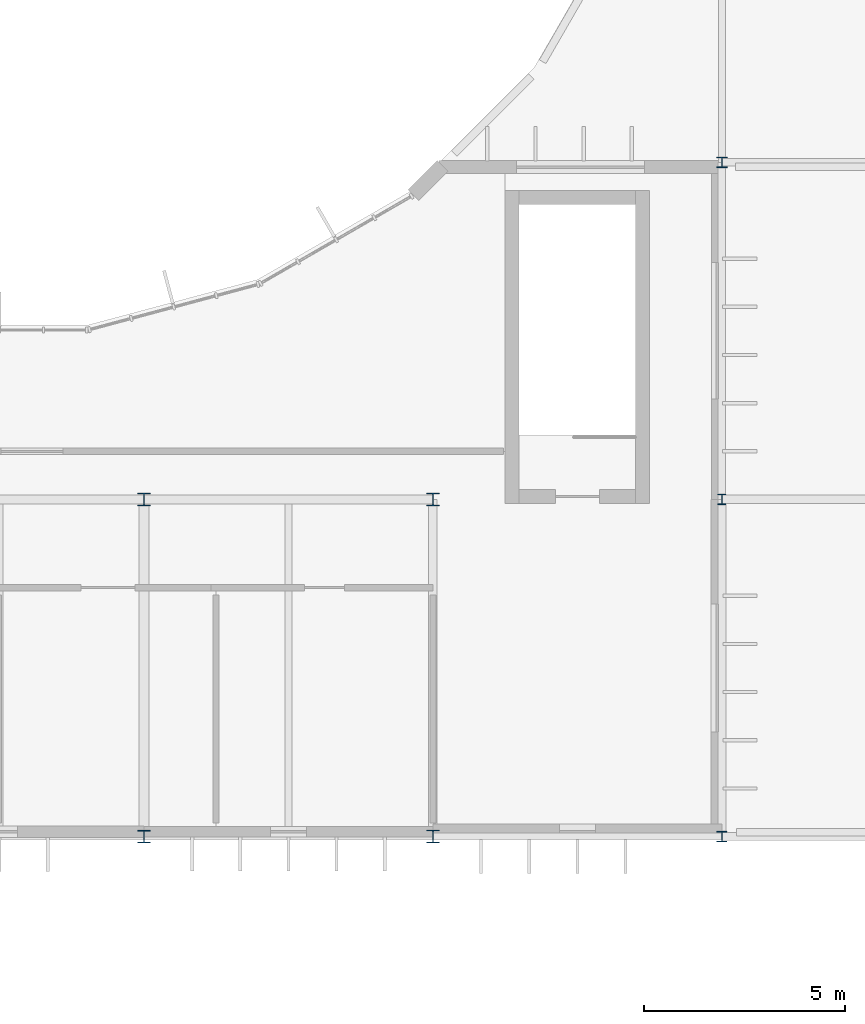
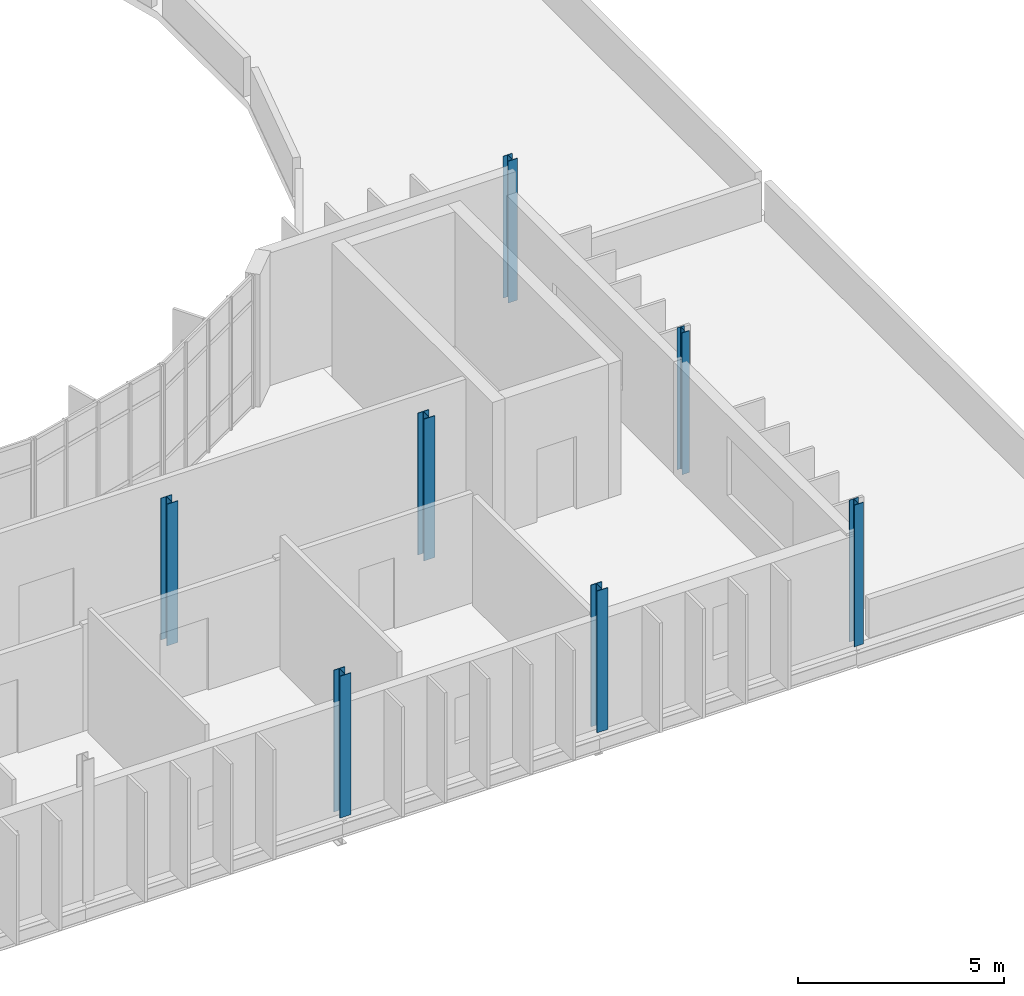
# One storey, part 15 of 61: 7 columns.
"""IFC4 building model written with IfcOpenShell, lengths in metres."""

from ifc_helpers import new_model, si_unit, direction, frame, origin, origin_2d, place, context, subcontext, project, spatial, i_section, extrude, material, material_profile, profile_set, type_object, element, save


model = new_model("IFC4")

# Units and contexts
model_context = context("Model", 3, precision=1e-05, world=origin(), true_north=direction((0.0, 1.0)))
body_context = subcontext(model_context, "Body", "Model", "MODEL_VIEW")
ifc_project = project(units=[si_unit("LENGTHUNIT", "METRE"), si_unit("AREAUNIT", "SQUARE_METRE"), si_unit("VOLUMEUNIT", "CUBIC_METRE"), si_unit("PLANEANGLEUNIT", "RADIAN"), si_unit("MASSUNIT", "GRAM", prefix="KILO")], contexts=[model_context])

# Site, building, storey
site_placement = place(None, origin())
site = spatial("IfcSite", under=ifc_project, at=site_placement, CompositionType="ELEMENT")
building_placement = place(site_placement, origin())
building = spatial("IfcBuilding", under=site, at=building_placement, Name="Qelthora Terrace Specialist Clinic", CompositionType="ELEMENT")
storey_placement = place(building_placement, frame((0.0, 0.0, 13.199951171875)))
storey = spatial("IfcBuildingStorey", under=building, at=storey_placement, Name="L03", CompositionType="ELEMENT", Elevation=13.199951171875)

# Columns
ifc_material = material(Name="Steel S355", Category="steel")
ifc_material_profile_1 = material_profile(ifc_material, i_section(OverallWidth=0.2041015625, OverallDepth=0.257080078125, WebThickness=0.0087890625, FlangeThickness=0.015625, FilletRadius=0.012939453125, at=origin_2d()), Name="W250X67")
ifc_profile_set_1 = profile_set([ifc_material_profile_1], Name="Steel S355")
column_type_1 = type_object("IfcColumnType", Name="COL-W250X67", PredefinedType="COLUMN", material=ifc_profile_set_1)
column_1_placement = place(storey_placement, frame((144.0, 42.0, 0.0), z_axis=(0.0, 0.0, 1.0), x_axis=(1.0, 0.0, 0.0)))
element("IfcColumn", 1, at=column_1_placement, inside=storey, type_object=column_type_1, Name="Column L03-227", PredefinedType="COLUMN", context=body_context, shape_type="SweptSolid", body=[
    extrude(i_section(OverallWidth=0.2041015625, OverallDepth=0.257080078125, WebThickness=0.0087890625, FlangeThickness=0.015625, FilletRadius=0.012939453125, at=origin_2d()), origin(), (0.0, 0.0, 1.0), 4.199951171875),
])
ifc_material_profile_2 = material_profile(ifc_material, i_section(OverallWidth=0.25390625, OverallDepth=0.2529296875, WebThickness=0.008544921875, FlangeThickness=0.01416015625, FilletRadius=0.012939453125, at=origin_2d()), Name="W250X73")
ifc_profile_set_2 = profile_set([ifc_material_profile_2], Name="Steel S355")
column_type_2 = type_object("IfcColumnType", Name="COL-W250X73", PredefinedType="COLUMN", material=ifc_profile_set_2)
column_2_placement = place(storey_placement, frame((144.0, 33.60009765625, 0.0), z_axis=(0.0, 0.0, 1.0), x_axis=(1.0, 0.0, 0.0)))
element("IfcColumn", 2, at=column_2_placement, inside=storey, type_object=column_type_2, Name="Column L03-226", PredefinedType="COLUMN", context=body_context, shape_type="SweptSolid", body=[
    extrude(i_section(OverallWidth=0.25390625, OverallDepth=0.2529296875, WebThickness=0.008544921875, FlangeThickness=0.01416015625, FilletRadius=0.012939453125, at=origin_2d()), origin(), (0.0, 0.0, 1.0), 4.199951171875),
])
ifc_material_profile_3 = material_profile(ifc_material, i_section(OverallWidth=0.256103515625, OverallDepth=0.260009765625, WebThickness=0.0107421875, FlangeThickness=0.017333984375, FilletRadius=0.012939453125, at=origin_2d()), Name="W250X89")
ifc_profile_set_3 = profile_set([ifc_material_profile_3], Name="Steel S355")
column_type_3 = type_object("IfcColumnType", Name="COL-W250X89", PredefinedType="COLUMN", material=ifc_profile_set_3)
column_3_placement = place(storey_placement, frame((144.0, 50.39990234375, 0.0), z_axis=(0.0, 0.0, 1.0), x_axis=(1.0, 0.0, 0.0)))
element("IfcColumn", 3, at=column_3_placement, inside=storey, type_object=column_type_3, Name="Column L03-228", PredefinedType="COLUMN", context=body_context, shape_type="SweptSolid", body=[
    extrude(i_section(OverallWidth=0.256103515625, OverallDepth=0.260009765625, WebThickness=0.0107421875, FlangeThickness=0.017333984375, FilletRadius=0.012939453125, at=origin_2d()), origin(), (0.0, 0.0, 1.0), 4.199951171875),
])
ifc_material_profile_4 = material_profile(ifc_material, i_section(OverallWidth=0.305908203125, OverallDepth=0.31103515625, WebThickness=0.010986328125, FlangeThickness=0.01708984375, FilletRadius=0.014892578125, at=origin_2d()), Name="W310X107")
ifc_profile_set_4 = profile_set([ifc_material_profile_4], Name="Steel S355")
column_type_4 = type_object("IfcColumnType", Name="COL-W310X107", PredefinedType="COLUMN", material=ifc_profile_set_4)
column_4_placement = place(storey_placement, frame((129.60009765625, 42.0, 0.0), z_axis=(0.0, 0.0, 1.0), x_axis=(1.0, 0.0, 0.0)))
element("IfcColumn", 4, at=column_4_placement, inside=storey, type_object=column_type_4, Name="Column L03-211", PredefinedType="COLUMN", context=body_context, shape_type="SweptSolid", body=[
    extrude(i_section(OverallWidth=0.305908203125, OverallDepth=0.31103515625, WebThickness=0.010986328125, FlangeThickness=0.01708984375, FilletRadius=0.014892578125, at=origin_2d()), origin(), (0.0, 0.0, 1.0), 4.199951171875),
])
ifc_material_profile_5 = material_profile(ifc_material, i_section(OverallWidth=0.306884765625, OverallDepth=0.31396484375, WebThickness=0.011962890625, FlangeThickness=0.018798828125, FilletRadius=0.01611328125, at=origin_2d()), Name="W310X118")
ifc_profile_set_5 = profile_set([ifc_material_profile_5], Name="Steel S355")
column_type_5 = type_object("IfcColumnType", Name="COL-W310X118", PredefinedType="COLUMN", material=ifc_profile_set_5)
for number, where, z_axis, x_axis, name in (
    (5, (129.60009765625, 33.60009765625, 0.0), (0.0, 0.0, 1.0), (1.0, 0.0, 0.0), "Column L03-210"),
    (6, (136.800048828125, 42.0, 0.0), (0.0, 0.0, 1.0), (1.0, 0.0, 0.0), "Column L03-219"),
):
    element("IfcColumn", number, at=place(storey_placement, frame(where, z_axis=z_axis, x_axis=x_axis)), inside=storey, type_object=column_type_5, Name=name, PredefinedType="COLUMN", context=body_context, shape_type="SweptSolid", body=[
        extrude(i_section(OverallWidth=0.306884765625, OverallDepth=0.31396484375, WebThickness=0.011962890625, FlangeThickness=0.018798828125, FilletRadius=0.01611328125, at=origin_2d()), origin(), (0.0, 0.0, 1.0), 4.199951171875),
    ])
ifc_material_profile_6 = material_profile(ifc_material, i_section(OverallWidth=0.304931640625, OverallDepth=0.30810546875, WebThickness=0.010009765625, FlangeThickness=0.015380859375, FilletRadius=0.014892578125, at=origin_2d()), Name="W310X97")
ifc_profile_set_6 = profile_set([ifc_material_profile_6], Name="Steel S355")
column_type_6 = type_object("IfcColumnType", Name="COL-W310X97", PredefinedType="COLUMN", material=ifc_profile_set_6)
column_5_placement = place(storey_placement, frame((136.800048828125, 33.60009765625, 0.0), z_axis=(0.0, 0.0, 1.0), x_axis=(1.0, 0.0, 0.0)))
element("IfcColumn", 7, at=column_5_placement, inside=storey, type_object=column_type_6, Name="Column L03-218", PredefinedType="COLUMN", context=body_context, shape_type="SweptSolid", body=[
    extrude(i_section(OverallWidth=0.304931640625, OverallDepth=0.30810546875, WebThickness=0.010009765625, FlangeThickness=0.015380859375, FilletRadius=0.014892578125, at=origin_2d()), origin(), (0.0, 0.0, 1.0), 4.199951171875),
])

save(model, "model.ifc")
